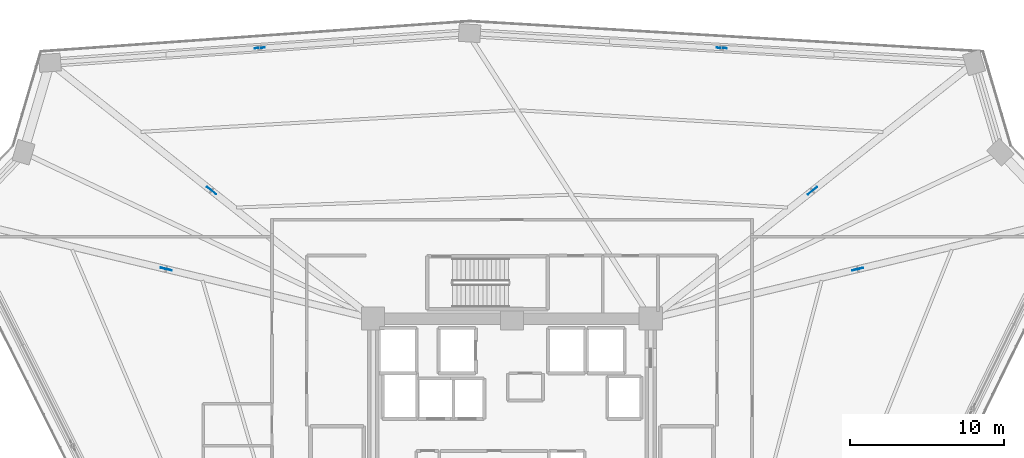
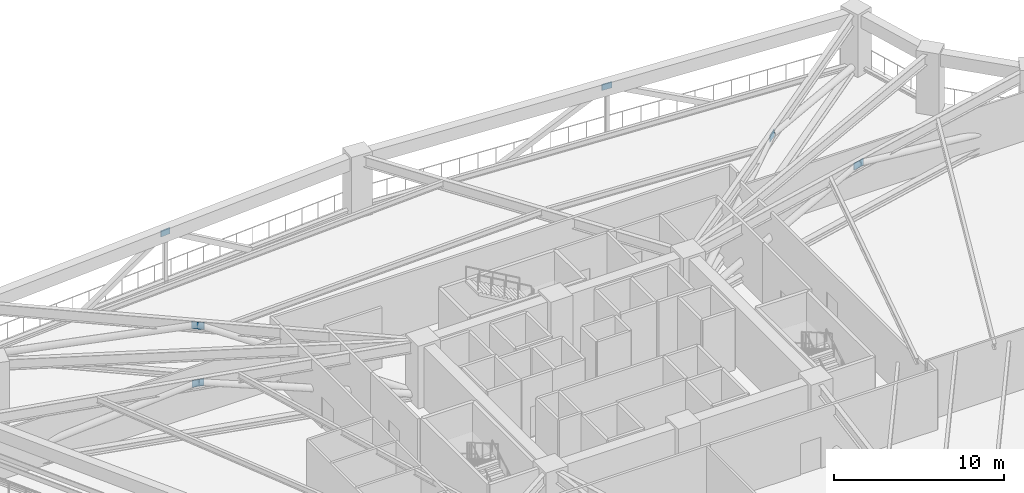
# One storey, part 13 of 23: 6 plates.
"""IFC4 building model written with IfcOpenShell, lengths in metres."""

from ifc_helpers import new_model, si_unit, direction, frame, origin, origin_2d, place, context, subcontext, project, spatial, rectangle, extrude, source, transform, mapped, material, layer, layer_set, type_object, element, save


model = new_model("IFC4")

# Units and contexts
model_context = context("Model", 3, precision=1e-05, world=origin(), true_north=direction((0.0, 1.0)))
body_context = subcontext(model_context, "Body", "Model", "MODEL_VIEW")
ifc_project = project(units=[si_unit("LENGTHUNIT", "METRE"), si_unit("AREAUNIT", "SQUARE_METRE"), si_unit("VOLUMEUNIT", "CUBIC_METRE"), si_unit("PLANEANGLEUNIT", "RADIAN"), si_unit("MASSUNIT", "GRAM", prefix="KILO")], contexts=[model_context])

# Site, building, storey
site_placement = place(None, origin())
site = spatial("IfcSite", under=ifc_project, at=site_placement, CompositionType="ELEMENT")
building_placement = place(site_placement, origin())
building = spatial("IfcBuilding", under=site, at=building_placement, Name="Liaohun Quay Tower", CompositionType="ELEMENT")
storey_placement = place(building_placement, frame((0.0, 0.0, 139.5)))
storey = spatial("IfcBuildingStorey", under=building, at=storey_placement, Name="L36", CompositionType="ELEMENT", Elevation=139.5)

# Plates
ifc_material = material(Name="Steel Q420D outrigger node gusset plate", Category="steel")
ifc_layer = layer(ifc_material, 0.0400390625, Name="Steel Q420D outrigger node gusset plate", Category="steel")
ifc_layer_set = layer_set([ifc_layer], Name="Steel Q420D outrigger node gusset plate")
plate_type = type_object("IfcPlateType", Name="PLT-GUS-OUT", PredefinedType="USERDEFINED", material=ifc_layer_set)
shared_shape_1 = source(origin(), body_context, "Body", "SweptSolid", [
    extrude(rectangle(XDim=0.75, YDim=0.0400390625, at=origin_2d()), origin(), (0.0, 0.0, 1.0), 0.5),
])
for number, where, z_axis, x_axis, name in (
    (1, (37.5849609375, 64.7041015625, 3.669921875), (0.0, 0.0, 1.0), (-0.972613850605, 0.232426972642, 0.0), "L36 Outrigger Node Gusset Plate GP1-02"),
    (2, (40.52197265625, 69.791015625, 3.669921875), (0.0, 0.0, 1.0), (-0.784235212544, 0.620463642292, 0.0), "L36 Outrigger Node Gusset Plate GP1-03"),
    (3, (79.47998046875, 69.787109375, 3.669921875), (0.0, 0.0, 1.0), (0.784343491933, 0.620326757977, 0.0), "L36 Outrigger Node Gusset Plate GP1-04"),
    (4, (82.4169921875, 64.701904296875, 3.669921875), (0.0, 0.0, 1.0), (0.972694923667, 0.232087452208, 0.0), "L36 Outrigger Node Gusset Plate GP1-05"),
):
    element("IfcPlate", number, at=place(storey_placement, frame(where, z_axis=z_axis, x_axis=x_axis)), inside=storey, type_object=plate_type, Name=name, ObjectType="GUSSET PLATE", PredefinedType="USERDEFINED", context=body_context, shape_type="MappedRepresentation", body=[
        mapped(shared_shape_1, transform((0.0, 0.0, 0.0), x_axis=(1.0, 0.0, 0.0), y_axis=(0.0, 1.0, 0.0), z_axis=(0.0, 0.0, 1.0), scale=1.0)),
    ])
shared_shape_2 = source(origin(), body_context, "Body", "SweptSolid", [
    extrude(rectangle(XDim=0.64990234375, YDim=0.035888671875, at=origin_2d()), origin(), (0.0, 0.0, 1.0), 0.449951171875),
])
for number, where, z_axis, x_axis, name in (
    (5, (43.64697265625, 79.04296875, 3.69482421875), (0.0, 0.0, 1.0), (0.997515107958, 0.070452887775, 0.0), "L36 Belt Truss Node Gusset Plate GP1-B03"),
    (6, (73.60498046875, 79.0400390625, 3.69482421875), (0.0, 0.0, 1.0), (0.99827074383, -0.058783688319, 0.0), "L36 Belt Truss Node Gusset Plate GP1-B04"),
):
    element("IfcPlate", number, at=place(storey_placement, frame(where, z_axis=z_axis, x_axis=x_axis)), inside=storey, type_object=plate_type, Name=name, ObjectType="GUSSET PLATE", PredefinedType="USERDEFINED", context=body_context, shape_type="MappedRepresentation", body=[
        mapped(shared_shape_2, transform((0.0, 0.0, 0.0), x_axis=(1.0, 0.0, 0.0), y_axis=(0.0, 1.0, 0.0), z_axis=(0.0, 0.0, 1.0), scale=1.0)),
    ])

save(model, "model.ifc")
